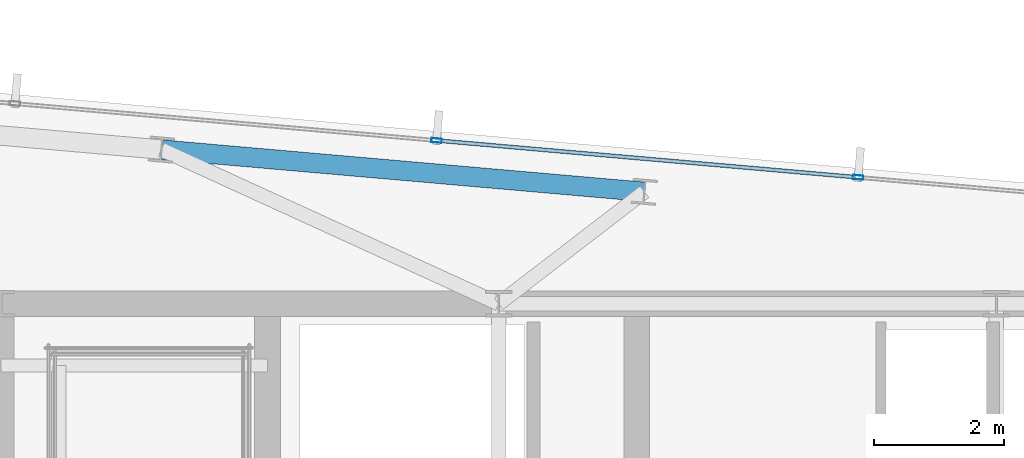
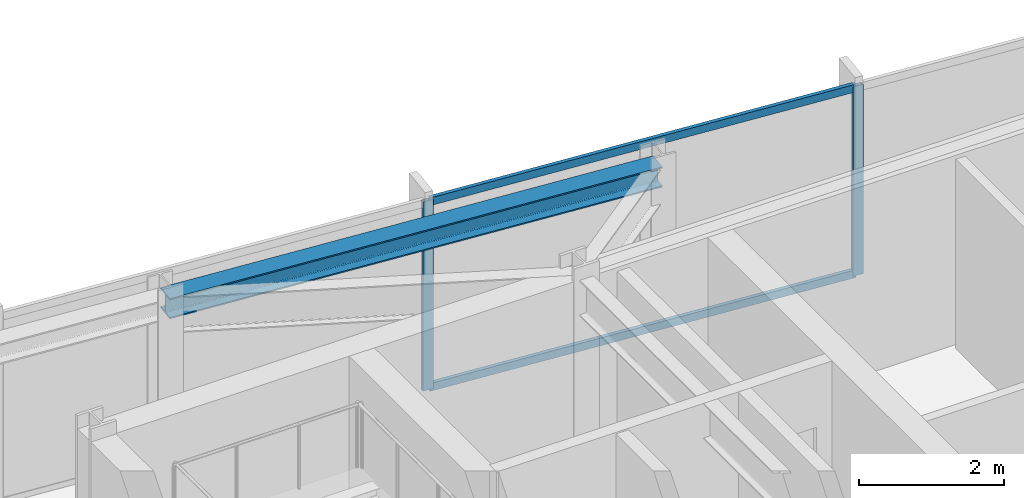
# One storey, part 25 of 32: 4 members, 1 beam, 1 element without a shape of its own.
"""IFC4 building model written with IfcOpenShell, lengths in metres."""

from ifc_helpers import new_model, si_unit, direction, frame, origin, origin_2d, place, context, subcontext, project, spatial, hollow_rectangle, i_section, extrude, material, material_profile, profile_set, type_object, element, aggregate, save


model = new_model("IFC4")

# Units and contexts
model_context = context("Model", 3, precision=1e-05, world=origin(), true_north=direction((0.0, 1.0)))
body_context = subcontext(model_context, "Body", "Model", "MODEL_VIEW")
ifc_project = project(units=[si_unit("LENGTHUNIT", "METRE"), si_unit("AREAUNIT", "SQUARE_METRE"), si_unit("VOLUMEUNIT", "CUBIC_METRE"), si_unit("PLANEANGLEUNIT", "RADIAN"), si_unit("MASSUNIT", "GRAM", prefix="KILO")], contexts=[model_context])

# Site, building, storey
site_placement = place(None, origin())
site = spatial("IfcSite", under=ifc_project, at=site_placement, CompositionType="ELEMENT")
building_placement = place(site_placement, origin())
building = spatial("IfcBuilding", under=site, at=building_placement, Name="Yelkora Congress Tower", CompositionType="ELEMENT")
storey_placement = place(building_placement, frame((0.0, 0.0, 269.300048828125)))
storey = spatial("IfcBuildingStorey", under=building, at=storey_placement, Name="L75", CompositionType="ELEMENT", Elevation=269.300048828125)

# Beam
ifc_material_1 = material(Name="Steel S355J2", Category="steel")
ifc_material_profile_1 = material_profile(ifc_material_1, i_section(OverallWidth=0.300048828125, OverallDepth=0.340087890625, WebThickness=0.011962890625, FlangeThickness=0.021484375, FilletRadius=0.027099609375, at=origin_2d()), Name="HEB 340")
ifc_profile_set_1 = profile_set([ifc_material_profile_1], Name="Steel S355J2")
beam_type = type_object("IfcBeamType", Name="BM-SPAN-HEB340", PredefinedType="SPANDREL", material=ifc_profile_set_1)
beam_placement = place(storey_placement, frame((32.968505859375, 47.927490234375, 3.010009765625), z_axis=(-0.996195771192, 0.087143476284, 0.0), x_axis=(-0.087143476284, -0.996195771192, 0.0)))
element("IfcBeam", 1, at=beam_placement, inside=storey, type_object=beam_type, Name="L75 Perimeter Beam 10", PredefinedType="SPANDREL", context=body_context, shape_type="SweptSolid", body=[
    extrude(i_section(OverallWidth=0.300048828125, OverallDepth=0.340087890625, WebThickness=0.011962890625, FlangeThickness=0.021484375, FilletRadius=0.027099609375, at=origin_2d()), origin(), (0.0, 0.0, 1.0), 7.483154296875),
])

# Curtain wall, members
ifc_material_2 = material(Name="Anodised aluminium and insulated glass", Category="aluminium")
curtain_wall_type = type_object("IfcCurtainWallType", Name="CW-SYS-B5", PredefinedType="NOTDEFINED", material=ifc_material_2)
curtain_wall_placement = place(storey_placement, origin())
curtain_wall = element("IfcCurtainWall", 2, at=curtain_wall_placement, inside=storey, type_object=curtain_wall_type, Name="L75 Unitised Curtain Wall 10", PredefinedType="NOTDEFINED")
ifc_material_3 = material(Name="Anodised aluminium 6063-T6", Category="aluminium")
ifc_material_profile_2 = material_profile(ifc_material_3, hollow_rectangle(XDim=0.06494140625, YDim=0.159912109375, WallThickness=0.00390625, at=origin_2d()), Name="ALU 65x160x4")
ifc_profile_set_2 = profile_set([ifc_material_profile_2], Name="Anodised aluminium 6063-T6")
member_type_1 = type_object("IfcMemberType", Name="MEM-ML-B5", PredefinedType="MULLION", material=ifc_profile_set_2)
member_1_placement = place(storey_placement, frame((29.759765625, 48.719970703125, 0.0), z_axis=(0.0, 0.0, 1.0), x_axis=(0.087156639893, 0.996194619601, 0.0)))
member_1 = element("IfcMember", 3, at=member_1_placement, type_object=member_type_1, Name="CW-B5 mullion 4", PredefinedType="MULLION", context=body_context, shape_type="SweptSolid", body=[
    extrude(hollow_rectangle(XDim=0.06494140625, YDim=0.159912109375, WallThickness=0.00390625, at=origin_2d()), origin(), (0.0, 0.0, 1.0), 3.179931640625),
])
member_2_placement = place(storey_placement, frame((36.266357421875, 48.15087890625, 0.0), z_axis=(0.0, 0.0, 1.0), x_axis=(0.087156639893, 0.996194619601, 0.0)))
member_2 = element("IfcMember", 4, at=member_2_placement, type_object=member_type_1, Name="CW-B5 mullion 5", PredefinedType="MULLION", context=body_context, shape_type="SweptSolid", body=[
    extrude(hollow_rectangle(XDim=0.06494140625, YDim=0.159912109375, WallThickness=0.00390625, at=origin_2d()), origin(), (0.0, 0.0, 1.0), 3.179931640625),
])
ifc_material_profile_3 = material_profile(ifc_material_3, hollow_rectangle(XDim=0.06005859375, YDim=0.1298828125, WallThickness=0.00390625, at=origin_2d()), Name="ALU 60x130x4")
ifc_profile_set_3 = profile_set([ifc_material_profile_3], Name="Anodised aluminium 6063-T6")
member_type_2 = type_object("IfcMemberType", Name="MEM-TR-B5", PredefinedType="USERDEFINED", material=ifc_profile_set_3)
member_3_placement = place(storey_placement, frame((29.7919921875, 48.71728515625, 0.030029296875), z_axis=(0.996192979814, -0.08717538052, 0.0), x_axis=(0.08717538052, 0.996192979814, 0.0)))
member_3 = element("IfcMember", 5, at=member_3_placement, type_object=member_type_2, Name="CW-B5 transom 4.1", ObjectType="TRANSOM", PredefinedType="USERDEFINED", context=body_context, shape_type="SweptSolid", body=[
    extrude(hollow_rectangle(XDim=0.06005859375, YDim=0.1298828125, WallThickness=0.00390625, at=origin_2d()), origin(), (0.0, 0.0, 1.0), 6.466552734375),
])
member_4_placement = place(storey_placement, frame((29.7919921875, 48.71728515625, 3.14990234375), z_axis=(0.996192979814, -0.08717538052, 0.0), x_axis=(0.08717538052, 0.996192979814, 0.0)))
member_4 = element("IfcMember", 6, at=member_4_placement, type_object=member_type_2, Name="CW-B5 transom 4.2", ObjectType="TRANSOM", PredefinedType="USERDEFINED", context=body_context, shape_type="SweptSolid", body=[
    extrude(hollow_rectangle(XDim=0.06005859375, YDim=0.1298828125, WallThickness=0.00390625, at=origin_2d()), origin(), (0.0, 0.0, 1.0), 6.466552734375),
])
aggregate(curtain_wall, [member_1, member_2, member_3, member_4])

save(model, "model.ifc")
